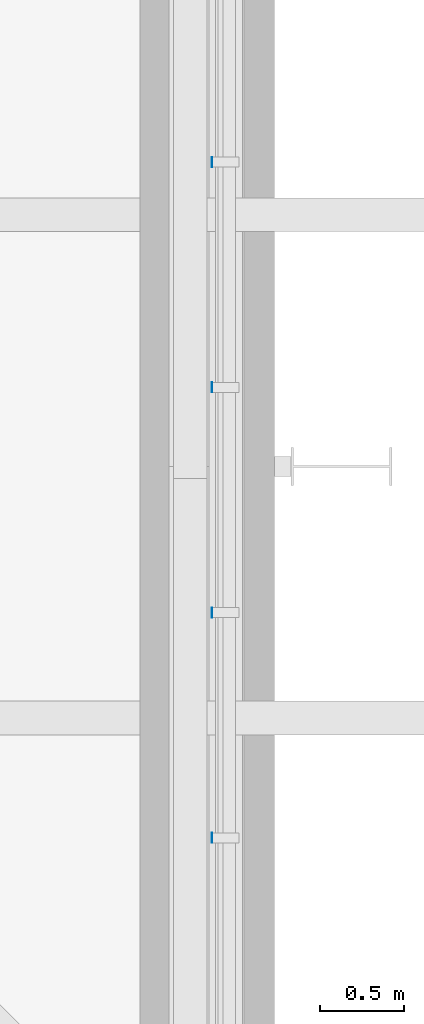
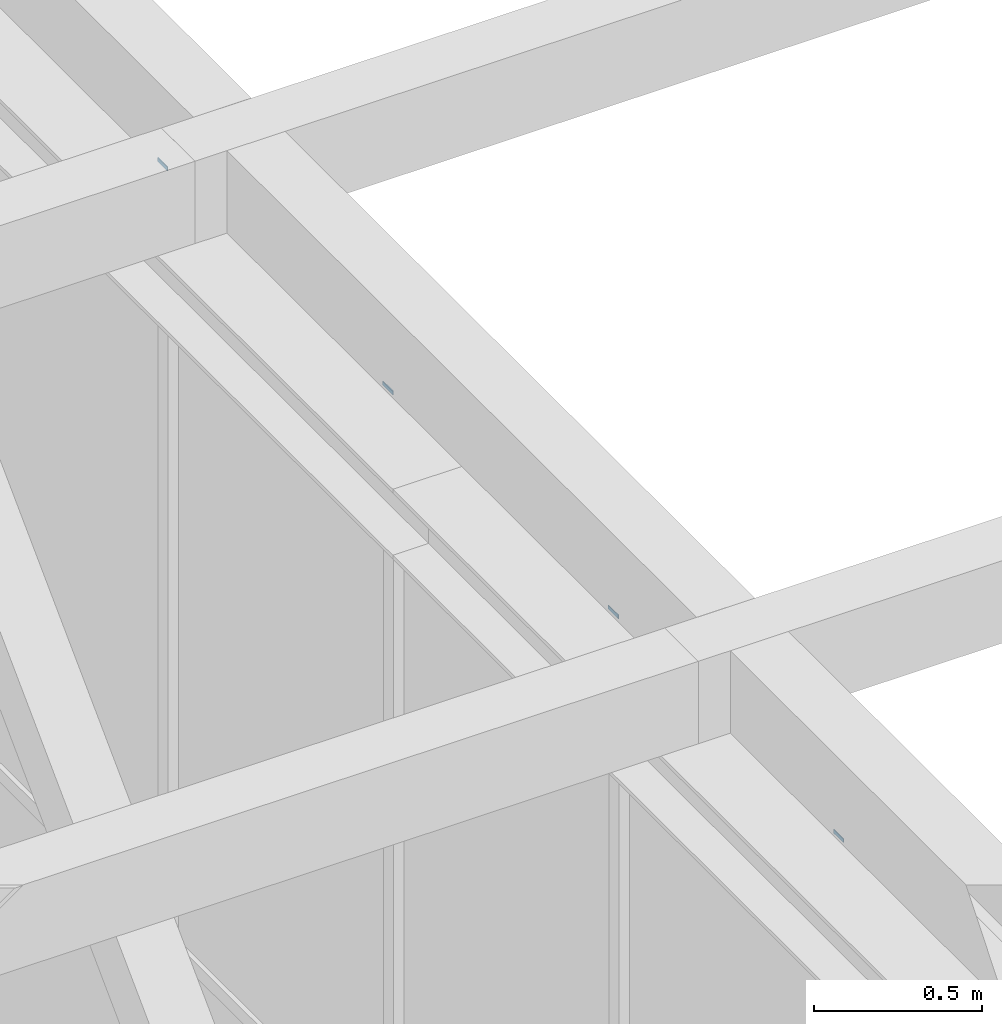
# One storey, part 624 of 646: 4 discrete accessories.
"""IFC4 building model written with IfcOpenShell, lengths in metres."""

from ifc_helpers import new_model, si_unit, direction, frame, origin, origin_2d, place, context, subcontext, project, spatial, rectangle, extrude, material, type_object, element, save


model = new_model("IFC4")

# Units and contexts
model_context = context("Model", 3, precision=1e-05, world=origin(), true_north=direction((0.0, 1.0)))
body_context = subcontext(model_context, "Body", "Model", "MODEL_VIEW")
ifc_project = project(units=[si_unit("LENGTHUNIT", "METRE"), si_unit("AREAUNIT", "SQUARE_METRE"), si_unit("VOLUMEUNIT", "CUBIC_METRE"), si_unit("PLANEANGLEUNIT", "RADIAN"), si_unit("MASSUNIT", "GRAM", prefix="KILO")], contexts=[model_context])

# Site, building, storey
site_placement = place(None, origin())
site = spatial("IfcSite", under=ifc_project, at=site_placement, CompositionType="ELEMENT")
building_placement = place(site_placement, origin())
building = spatial("IfcBuilding", under=site, at=building_placement, Name="Silverbay Arena", CompositionType="ELEMENT")
storey_placement = place(building_placement, frame((0.0, 0.0, 33.5)))
storey = spatial("IfcBuildingStorey", under=building, at=storey_placement, Name="L05", CompositionType="ELEMENT", Elevation=33.5)

# Discrete accessories
ifc_material = material(Name="Steel S355", Category="steel")
discrete_accessory_type = type_object("IfcDiscreteAccessoryType", Name="Steel bracket plate", PredefinedType="BRACKET", material=ifc_material)
for number, where, z_axis, x_axis, name in (
    (1, (207.128662109375, 137.28564453125, 12.98583984375), (0.0, 0.0, 1.0), (1.0, 0.0, 0.0), "Curtain wall packing plate"),
    (2, (207.128662109375, 138.628662109375, 12.98583984375), (0.0, 0.0, 1.0), (1.0, 0.0, 0.0), "Curtain wall packing plate"),
    (3, (207.128662109375, 139.971435546875, 12.98583984375), (0.0, 0.0, 1.0), (1.0, 0.0, 0.0), "Curtain wall packing plate"),
    (4, (207.128662109375, 141.314208984375, 12.98583984375), (0.0, 0.0, 1.0), (1.0, 0.0, 0.0), "Curtain wall packing plate"),
):
    element("IfcDiscreteAccessory", number, at=place(storey_placement, frame(where, z_axis=z_axis, x_axis=x_axis)), inside=storey, type_object=discrete_accessory_type, Name=name, PredefinedType="BRACKET", context=body_context, shape_type="SweptSolid", body=[
        extrude(rectangle(XDim=0.002685546875, YDim=0.06005859375, at=origin_2d()), origin(), (0.0, 0.0, 1.0), 0.01416015625),
    ])

save(model, "model.ifc")
